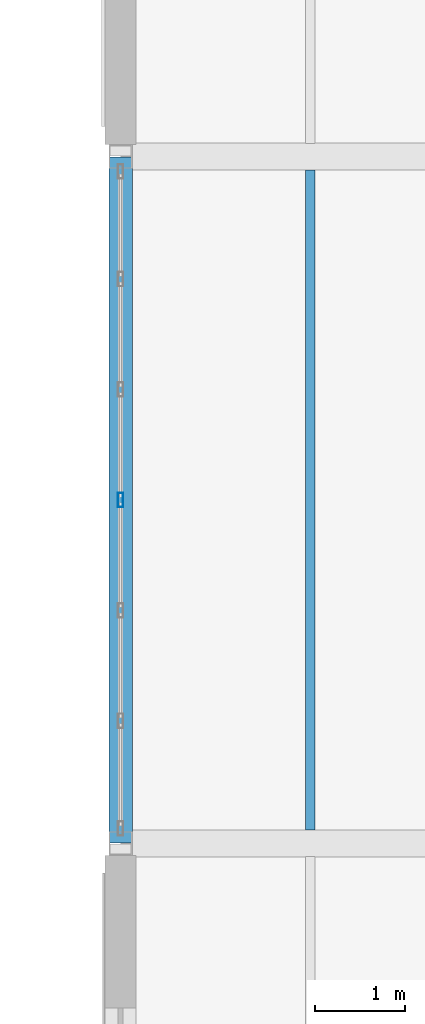
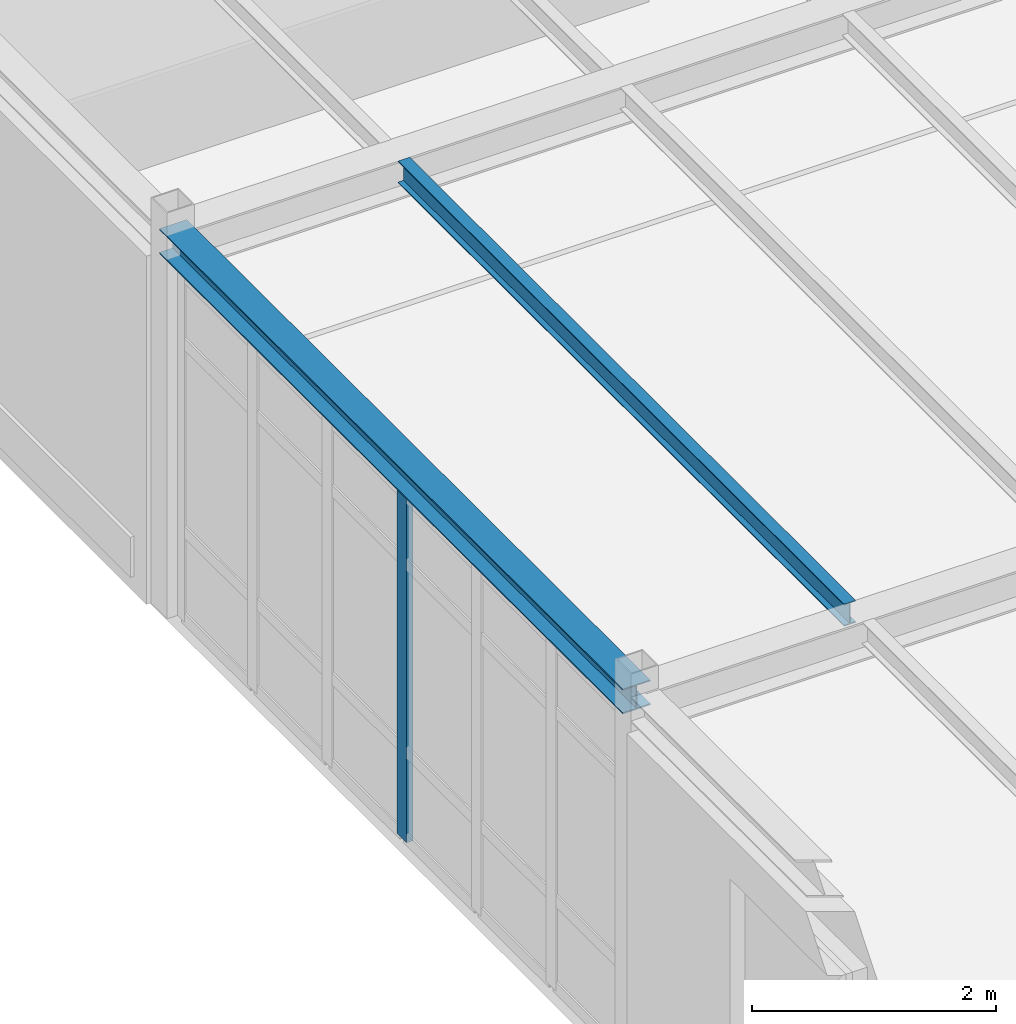
# One storey, part 73 of 189: 2 beams, 1 member, 1 element without a shape of its own.
"""IFC4 building model written with IfcOpenShell, lengths in metres."""

from ifc_helpers import new_model, si_unit, direction, frame, origin, origin_2d, place, context, subcontext, project, spatial, hollow_rectangle, i_section, extrude, material, layer, layer_set, material_profile, profile_set, type_object, element, aggregate, save


model = new_model("IFC4")

# Units and contexts
model_context = context("Model", 3, precision=1e-05, world=origin(), true_north=direction((0.0, 1.0)))
body_context = subcontext(model_context, "Body", "Model", "MODEL_VIEW")
ifc_project = project(units=[si_unit("LENGTHUNIT", "METRE"), si_unit("AREAUNIT", "SQUARE_METRE"), si_unit("VOLUMEUNIT", "CUBIC_METRE"), si_unit("PLANEANGLEUNIT", "RADIAN"), si_unit("MASSUNIT", "GRAM", prefix="KILO")], contexts=[model_context])

# Site, building, storey
site_placement = place(None, origin())
site = spatial("IfcSite", under=ifc_project, at=site_placement, CompositionType="ELEMENT")
building_placement = place(site_placement, origin())
building = spatial("IfcBuilding", under=site, at=building_placement, Name="Montecoro Central Library", CompositionType="ELEMENT")
storey_placement = place(building_placement, frame((0.0, 0.0, 9.179931640625)))
storey = spatial("IfcBuildingStorey", under=building, at=storey_placement, Name="L02", CompositionType="ELEMENT", Elevation=9.179931640625)

# Beams
ifc_material_1 = material(Name="Steel S355", Category="steel")
ifc_material_profile_1 = material_profile(ifc_material_1, i_section(OverallWidth=0.110107421875, OverallDepth=0.219970703125, WebThickness=0.005859375, FlangeThickness=0.00927734375, at=origin_2d()), Name="IPE 220")
ifc_profile_set_1 = profile_set([ifc_material_profile_1], Name="Steel S355")
beam_type_1 = type_object("IfcBeamType", Name="BM-J-IPE220", PredefinedType="JOIST", material=ifc_profile_set_1)
beam_1_placement = place(storey_placement, frame((68.5, 96.346923828125, 3.715087890625), z_axis=(0.0, 1.0, 0.0), x_axis=(-1.0, 0.0, 0.0)))
element("IfcBeam", 1, at=beam_1_placement, inside=storey, type_object=beam_type_1, Name="V2-L02-JS-910-NP-1", PredefinedType="JOIST", context=body_context, shape_type="SweptSolid", body=[
    extrude(i_section(OverallWidth=0.110107421875, OverallDepth=0.219970703125, WebThickness=0.005859375, FlangeThickness=0.00927734375, at=origin_2d()), origin(), (0.0, 0.0, 1.0), 7.30615234375),
])
ifc_material_profile_2 = material_profile(ifc_material_1, i_section(OverallWidth=0.260009765625, OverallDepth=0.25, WebThickness=0.007568359375, FlangeThickness=0.012451171875, at=origin_2d()), Name="HEA 260")
ifc_profile_set_2 = profile_set([ifc_material_profile_2], Name="Steel S355")
beam_type_2 = type_object("IfcBeamType", Name="BM-SP-HEA260", PredefinedType="SPANDREL", material=ifc_profile_set_2)
beam_2_placement = place(storey_placement, frame((66.39990234375, 96.205078125, 3.699951171875), z_axis=(0.0, 1.0, 0.0), x_axis=(-1.0, 0.0, 0.0)))
element("IfcBeam", 2, at=beam_2_placement, inside=storey, type_object=beam_type_2, Name="V2-L02-BY-9-NP", PredefinedType="SPANDREL", context=body_context, shape_type="SweptSolid", body=[
    extrude(i_section(OverallWidth=0.260009765625, OverallDepth=0.25, WebThickness=0.007568359375, FlangeThickness=0.012451171875, at=origin_2d()), origin(), (0.0, 0.0, 1.0), 7.58984375),
])

# Curtain wall, member
ifc_material_2 = material(Name="Bronze-anodised aluminium and low-E glazing", Category="aluminium")
ifc_layer = layer(ifc_material_2, 0.159912109375)
ifc_layer_set = layer_set([ifc_layer], Name="Bronze-anodised aluminium and low-E glazing")
curtain_wall_type = type_object("IfcCurtainWallType", Name="CWT-017", PredefinedType="NOTDEFINED", material=ifc_layer_set)
curtain_wall_placement = place(storey_placement, origin())
curtain_wall = element("IfcCurtainWall", 3, at=curtain_wall_placement, inside=storey, type_object=curtain_wall_type, Name="V2-L02-CW-W2", PredefinedType="NOTDEFINED")
ifc_material_3 = material(Name="Bronze-anodised aluminium", Category="aluminium")
ifc_material_profile_3 = material_profile(ifc_material_3, hollow_rectangle(XDim=0.06005859375, YDim=0.159912109375, WallThickness=0.00390625, at=origin_2d()), Name="CWM 160x60x4.0")
ifc_profile_set_3 = profile_set([ifc_material_profile_3], Name="Bronze-anodised aluminium")
member_type = type_object("IfcMemberType", Name="CWM-BRZ-60", PredefinedType="MULLION", material=ifc_profile_set_3)
member_placement = place(storey_placement, frame((66.39990234375, 100.0, 0.0), z_axis=(0.0, 0.0, 1.0), x_axis=(1.0, 0.0, 0.0)))
member = element("IfcMember", 4, at=member_placement, type_object=member_type, Name="CW-017 mullion 4", PredefinedType="MULLION", context=body_context, shape_type="SweptSolid", body=[
    extrude(hollow_rectangle(XDim=0.06005859375, YDim=0.159912109375, WallThickness=0.00390625, at=origin_2d()), origin(), (0.0, 0.0, 1.0), 3.47998046875),
])
aggregate(curtain_wall, [member])

save(model, "model.ifc")
